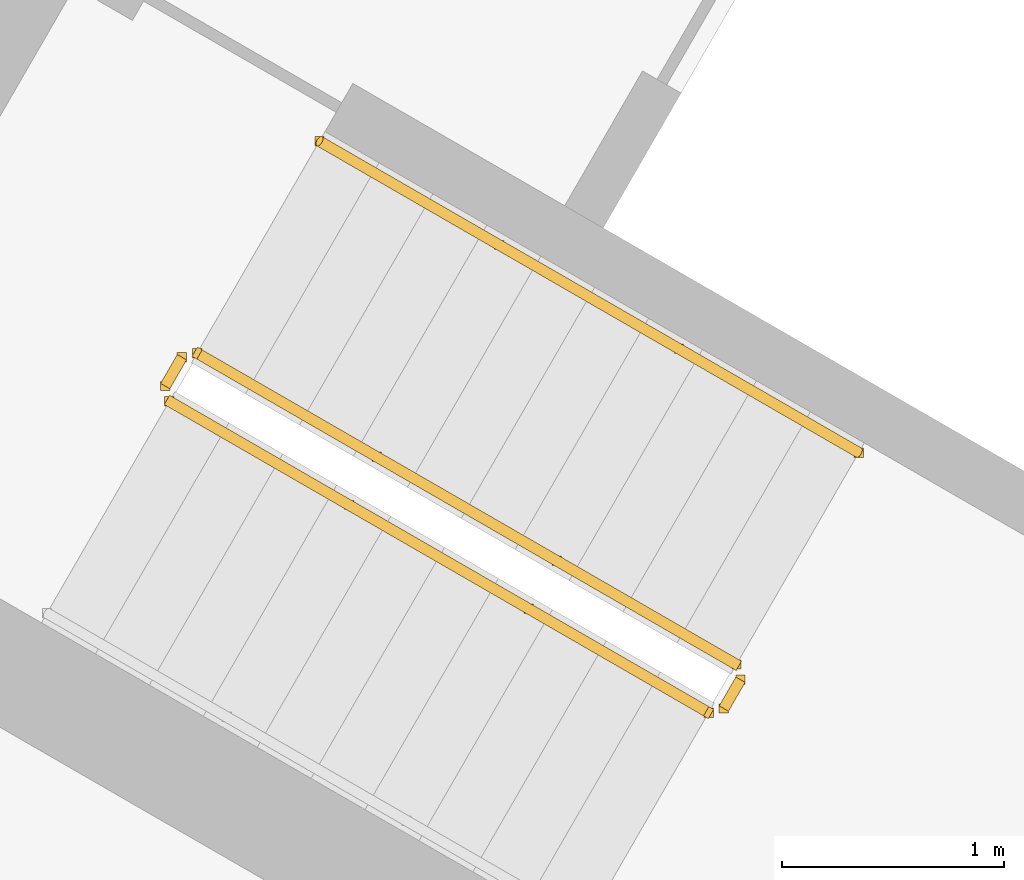
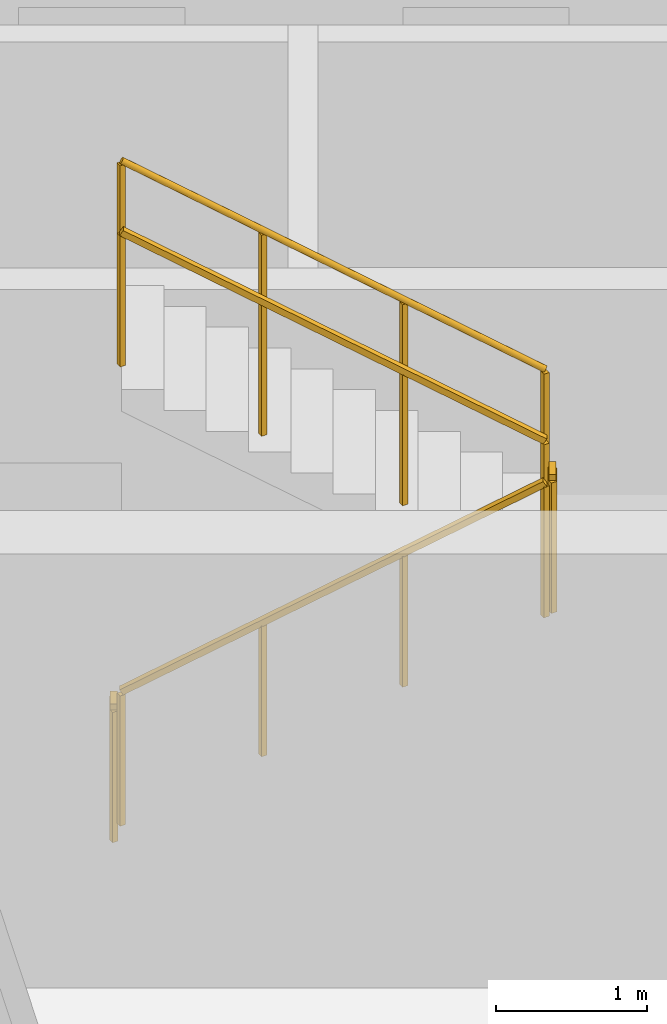
# One storey, part 12 of 14: 5 railings.
"""IFC4 building model written with IfcOpenShell, lengths in metres."""

from ifc_helpers import new_model, si_unit, direction, frame, origin, origin_2d, place, context, subcontext, project, spatial, rectangle, circle, extrude, material, type_object, element, save


model = new_model("IFC4")

# Units and contexts
model_context = context("Model", 3, precision=1e-05, world=origin(), true_north=direction((0.0, 1.0)))
body_context = subcontext(model_context, "Body", "Model", "MODEL_VIEW")
ifc_project = project(units=[si_unit("LENGTHUNIT", "METRE"), si_unit("AREAUNIT", "SQUARE_METRE"), si_unit("VOLUMEUNIT", "CUBIC_METRE"), si_unit("PLANEANGLEUNIT", "RADIAN"), si_unit("MASSUNIT", "GRAM", prefix="KILO")], contexts=[model_context])

# Site, building, storey
site_placement = place(None, origin())
site = spatial("IfcSite", under=ifc_project, at=site_placement, CompositionType="ELEMENT")
building_placement = place(site_placement, origin())
building = spatial("IfcBuilding", under=site, at=building_placement, Name="Apuvela Tower Hotel", CompositionType="ELEMENT")
storey_placement = place(building_placement, frame((0.0, 0.0, 90.89990234375)))
storey = spatial("IfcBuildingStorey", under=building, at=storey_placement, Name="L20", CompositionType="ELEMENT", Elevation=90.89990234375)

# Railings
ifc_material_1 = material(Name="Steel S275 balustrade", Category="steel")
railing_type_1 = type_object("IfcRailingType", Name="COR-GUARD-1100", PredefinedType="GUARDRAIL", material=ifc_material_1)
railing_1_placement = place(storey_placement, frame((10.718994140625, -10.63427734375, 0.168212890625)))
element("IfcRailing", 1, at=railing_1_placement, inside=storey, type_object=railing_type_1, Name="L20 ST3 stair guard 1", PredefinedType="GUARDRAIL", context=body_context, shape_type="SweptSolid", body=[
    extrude(rectangle(XDim=0.048095703125, YDim=0.048095703125, at=origin_2d()), frame((0.0, 0.0, 1.076171875), z_axis=(0.742390482028, -0.42860119049, 0.514934356695), x_axis=(0.49998411664, 0.866034573852, 0.0)), (0.0, 0.0, 1.0), 3.26611328125),
    extrude(rectangle(XDim=0.0419921875, YDim=0.0419921875, at=origin_2d()), origin(), (0.0, 0.0, 1.0), 1.052001953125),
    extrude(rectangle(XDim=0.0419921875, YDim=0.0419921875, at=origin_2d()), frame((0.808349609375, -0.466552734375, 0.560546875)), (0.0, 0.0, 1.0), 1.052001953125),
    extrude(rectangle(XDim=0.0419921875, YDim=0.0419921875, at=origin_2d()), frame((1.616455078125, -0.933349609375, 1.121337890625)), (0.0, 0.0, 1.0), 1.052001953125),
    extrude(rectangle(XDim=0.0419921875, YDim=0.0419921875, at=origin_2d()), frame((2.4248046875, -1.39990234375, 1.681884765625)), (0.0, 0.0, 1.0), 1.052001953125),
])
railing_2_placement = place(storey_placement, frame((13.212158203125, -12.015869140625, 1.85009765625)))
element("IfcRailing", 2, at=railing_2_placement, inside=storey, type_object=railing_type_1, Name="L20 ST3 stair guard 2", PredefinedType="GUARDRAIL", context=body_context, shape_type="SweptSolid", body=[
    extrude(rectangle(XDim=0.048095703125, YDim=0.048095703125, at=origin_2d()), frame((0.0, 0.0, 1.076171875), z_axis=(0.499816412211, 0.866131372301, 0.0), x_axis=(-0.866131372301, 0.499816412211, 0.0)), (0.0, 0.0, 1.0), 0.14990234375),
    extrude(rectangle(XDim=0.0419921875, YDim=0.0419921875, at=origin_2d()), origin(), (0.0, 0.0, 1.0), 1.052001953125),
    extrude(rectangle(XDim=0.0419921875, YDim=0.0419921875, at=origin_2d()), frame((0.074951171875, 0.1298828125, 0.0)), (0.0, 0.0, 1.0), 1.052001953125),
])
railing_3_placement = place(storey_placement, frame((13.268798828125, -11.817626953125, 2.018310546875)))
element("IfcRailing", 3, at=railing_3_placement, inside=storey, type_object=railing_type_1, Name="L20 ST3 stair guard 3", PredefinedType="GUARDRAIL", context=body_context, shape_type="SweptSolid", body=[
    extrude(rectangle(XDim=0.048095703125, YDim=0.048095703125, at=origin_2d()), frame((0.0, 0.0, 1.076171875), z_axis=(-0.742390482028, 0.42860119049, 0.514934356695), x_axis=(-0.49998411664, -0.866034573852, 0.0)), (0.0, 0.0, 1.0), 3.26611328125),
    extrude(rectangle(XDim=0.0419921875, YDim=0.0419921875, at=origin_2d()), origin(), (0.0, 0.0, 1.0), 1.052001953125),
    extrude(rectangle(XDim=0.0419921875, YDim=0.0419921875, at=origin_2d()), frame((-0.808349609375, 0.466552734375, 0.560546875)), (0.0, 0.0, 1.0), 1.052001953125),
    extrude(rectangle(XDim=0.0419921875, YDim=0.0419921875, at=origin_2d()), frame((-1.616455078125, 0.933349609375, 1.121337890625)), (0.0, 0.0, 1.0), 1.052001953125),
    extrude(rectangle(XDim=0.0419921875, YDim=0.0419921875, at=origin_2d()), frame((-2.4248046875, 1.39990234375, 1.681884765625)), (0.0, 0.0, 1.0), 1.052001953125),
])
railing_4_placement = place(storey_placement, frame((10.70068359375, -10.56591796875, 0.0)))
element("IfcRailing", 4, at=railing_4_placement, inside=storey, type_object=railing_type_1, Name="L20 ST3 stair guard 4", PredefinedType="GUARDRAIL", context=body_context, shape_type="SweptSolid", body=[
    extrude(rectangle(XDim=0.048095703125, YDim=0.048095703125, at=origin_2d()), frame((0.0, 0.0, 1.076171875), z_axis=(0.499816412211, 0.866131372301, 0.0), x_axis=(-0.866131372301, 0.499816412211, 0.0)), (0.0, 0.0, 1.0), 0.14990234375),
    extrude(rectangle(XDim=0.0419921875, YDim=0.0419921875, at=origin_2d()), origin(), (0.0, 0.0, 1.0), 1.052001953125),
    extrude(rectangle(XDim=0.0419921875, YDim=0.0419921875, at=origin_2d()), frame((0.074951171875, 0.1298828125, 0.0)), (0.0, 0.0, 1.0), 1.052001953125),
])
ifc_material_2 = material(Name="Stainless steel 316 handrail", Category="steel")
railing_type_2 = type_object("IfcRailingType", Name="COR-HANDRAIL-900", PredefinedType="HANDRAIL", material=ifc_material_2)
railing_5_placement = place(storey_placement, frame((13.81884765625, -10.864990234375, 2.018310546875)))
element("IfcRailing", 5, at=railing_5_placement, inside=storey, type_object=railing_type_2, Name="L20 ST3 stair handrail 2", PredefinedType="HANDRAIL", context=body_context, shape_type="SweptSolid", body=[
    extrude(circle(Radius=0.02392578125, at=origin_2d()), frame((0.0, 0.0, 0.8759765625), z_axis=(-0.742390482028, 0.42860119049, 0.514934356695), x_axis=(-0.49998411664, -0.866034573852, 0.0)), (0.0, 0.0, 1.0), 3.26611328125),
    extrude(rectangle(XDim=0.0419921875, YDim=0.0419921875, at=origin_2d()), origin(), (0.0, 0.0, 1.0), 0.851806640625),
    extrude(rectangle(XDim=0.0419921875, YDim=0.0419921875, at=origin_2d()), frame((-0.808349609375, 0.466552734375, 0.560546875)), (0.0, 0.0, 1.0), 0.851806640625),
    extrude(rectangle(XDim=0.0419921875, YDim=0.0419921875, at=origin_2d()), frame((-1.616455078125, 0.933349609375, 1.121337890625)), (0.0, 0.0, 1.0), 0.851806640625),
    extrude(rectangle(XDim=0.0419921875, YDim=0.0419921875, at=origin_2d()), frame((-2.4248046875, 1.39990234375, 1.681884765625)), (0.0, 0.0, 1.0), 0.851806640625),
])

save(model, "model.ifc")
